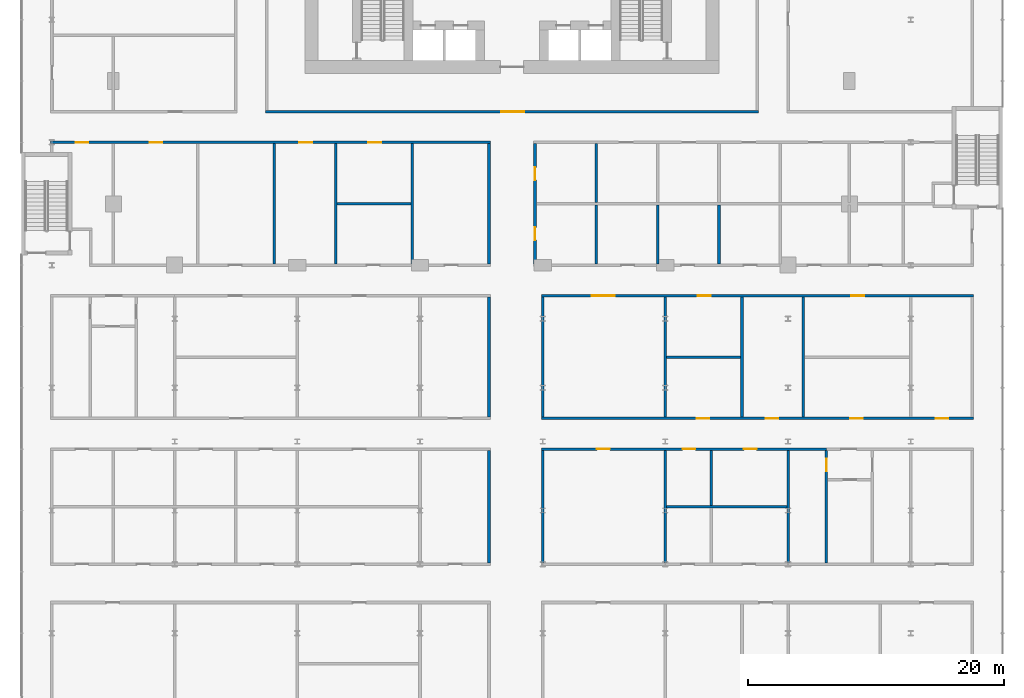
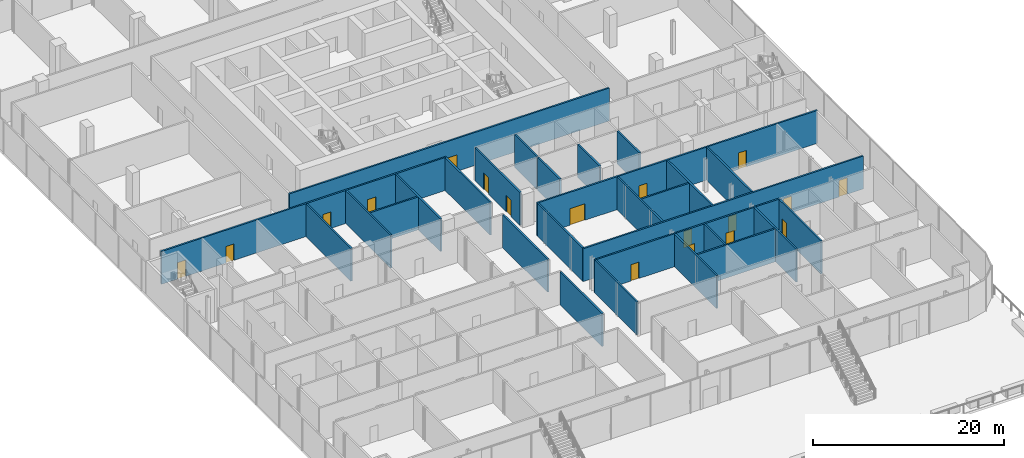
# One storey, part 33 of 45: 28 walls, 18 doors, 18 openings.
"""IFC4 building model written with IfcOpenShell, lengths in metres."""

from ifc_helpers import new_model, si_unit, direction, frame, frame_2d, origin, place, context, subcontext, project, spatial, rectangle, extrude, material, layer, layer_set, type_object, element, fill, save


model = new_model("IFC4")

# Units and contexts
model_context = context("Model", 3, precision=1e-05, world=origin(), true_north=direction((0.0, 1.0)))
body_context = subcontext(model_context, "Body", "Model", "MODEL_VIEW")
ifc_project = project(units=[si_unit("LENGTHUNIT", "METRE"), si_unit("AREAUNIT", "SQUARE_METRE"), si_unit("VOLUMEUNIT", "CUBIC_METRE"), si_unit("PLANEANGLEUNIT", "RADIAN"), si_unit("MASSUNIT", "GRAM", prefix="KILO")], contexts=[model_context])

# Site, building, storey
site_placement = place(None, origin())
site = spatial("IfcSite", under=ifc_project, at=site_placement, CompositionType="ELEMENT")
building_placement = place(site_placement, origin())
building = spatial("IfcBuilding", under=site, at=building_placement, Name="Madar Terraces", CompositionType="ELEMENT")
storey_placement = place(building_placement, frame((0.0, 0.0, 6.0)))
storey = spatial("IfcBuildingStorey", under=building, at=storey_placement, Name="L01", CompositionType="ELEMENT", Elevation=6.0)

# Wall
ifc_material_1 = material(Name="Gypsum board partition, fire-rated")
ifc_layer = layer(ifc_material_1, 0.199951171875)
ifc_layer_set = layer_set([ifc_layer], Name="Partition 200 EI 60")
wall_type = type_object("IfcWallType", Name="Partition 200 EI 60", PredefinedType="PARTITIONING", material=ifc_layer_set)
wall_1_placement = place(storey_placement, frame((43.300048828125, -18.89990234375, 0.0), z_axis=(0.0, 0.0, 1.0), x_axis=(1.0, 0.0, 0.0)))
element("IfcWall", 1, at=wall_1_placement, inside=storey, type_object=wall_type, Name="Wall CLEAN UTILITY + DENTAL SURGERY", PredefinedType="PARTITIONING", context=body_context, shape_type="SweptSolid", body=[
    extrude(rectangle(XDim=9.39990234375, YDim=0.199951171875, at=frame_2d((4.699951171875, 0.0))), origin(), (0.0, 0.0, 1.0), 4.199951171875),
])

# Wall, openings, doors
wall_2_placement = place(storey_placement, frame((55.800048828125, -14.39990234375, 0.0), z_axis=(0.0, 0.0, 1.0), x_axis=(-1.0, 0.0, 0.0)))
wall_2 = element("IfcWall", 2, at=wall_2_placement, inside=storey, type_object=wall_type, Name="Wall CLEAN UTILITY + DENTAL SURGERY", PredefinedType="PARTITIONING", context=body_context, shape_type="SweptSolid", body=[
    extrude(rectangle(XDim=22.300048828125, YDim=0.199951171875, at=frame_2d((11.14990234375, 0.0))), origin(), (0.0, 0.0, 1.0), 4.199951171875),
])
opening_1_placement = place(wall_2_placement, frame((16.949951171875, 0.0, 0.0)))
opening_1 = element("IfcOpeningElement", 3, at=opening_1_placement, cuts=wall_2, Name="Opening D31", PredefinedType="OPENING", context=body_context, shape_type="SweptSolid", body=[
    extrude(rectangle(XDim=1.0, YDim=2.10009765625, at=frame_2d((0.5, 1.050048828125))), frame((0.0, 0.10986328125, 0.0), z_axis=(0.0, -1.0, 0.0), x_axis=(1.0, 0.0, 0.0)), (0.0, 0.0, 1.0), 0.219970703125),
])
opening_2_placement = place(wall_2_placement, frame((10.25, 0.0, 0.0)))
opening_2 = element("IfcOpeningElement", 4, at=opening_2_placement, cuts=wall_2, Name="Opening D31", PredefinedType="OPENING", context=body_context, shape_type="SweptSolid", body=[
    extrude(rectangle(XDim=1.0, YDim=2.10009765625, at=frame_2d((0.5, 1.050048828125))), frame((0.0, 0.10986328125, 0.0), z_axis=(0.0, -1.0, 0.0), x_axis=(1.0, 0.0, 0.0)), (0.0, 0.0, 1.0), 0.219970703125),
])
opening_3_placement = place(wall_2_placement, frame((5.449951171875, 0.0, 0.0)))
opening_3 = element("IfcOpeningElement", 5, at=opening_3_placement, cuts=wall_2, Name="Opening D31", PredefinedType="OPENING", context=body_context, shape_type="SweptSolid", body=[
    extrude(rectangle(XDim=1.0, YDim=2.10009765625, at=frame_2d((0.5, 1.050048828125))), frame((0.0, 0.10986328125, 0.0), z_axis=(0.0, -1.0, 0.0), x_axis=(1.0, 0.0, 0.0)), (0.0, 0.0, 1.0), 0.219970703125),
])
ifc_material_2 = material(Name="Timber door leaf, fire-rated", Category="wood")
door_type_1 = type_object("IfcDoorType", Name="Podium door 1000 x 2100 FD30S", OperationType="NOTDEFINED", PredefinedType="DOOR", material=ifc_material_2)
door_1_placement = place(opening_1_placement, origin())
door_1 = element("IfcDoor", 6, at=door_1_placement, inside=storey, type_object=door_type_1, Name="Door TREATMENT ROOM / PODIUM CORRIDOR", OperationType="SINGLE_SWING_LEFT", OverallHeight=2.10009765625, OverallWidth=1.0, PredefinedType="DOOR", context=body_context, shape_type="SweptSolid", body=[
    extrude(rectangle(XDim=1.0, YDim=2.10009765625, at=frame_2d((0.5, 1.050048828125))), frame((0.0, 0.02490234375, 0.0), z_axis=(0.0, -1.0, 0.0), x_axis=(1.0, 0.0, 0.0)), (0.0, 0.0, 1.0), 0.050048828125),
])
fill(opening_1, door_1)
door_2_placement = place(opening_2_placement, origin())
door_2 = element("IfcDoor", 7, at=door_2_placement, inside=storey, type_object=door_type_1, Name="Door DENTAL SURGERY / PODIUM CORRIDOR", OperationType="SINGLE_SWING_LEFT", OverallHeight=2.10009765625, OverallWidth=1.0, PredefinedType="DOOR", context=body_context, shape_type="SweptSolid", body=[
    extrude(rectangle(XDim=1.0, YDim=2.10009765625, at=frame_2d((0.5, 1.050048828125))), frame((0.0, 0.02490234375, 0.0), z_axis=(0.0, -1.0, 0.0), x_axis=(1.0, 0.0, 0.0)), (0.0, 0.0, 1.0), 0.050048828125),
])
fill(opening_2, door_2)
door_3_placement = place(opening_3_placement, origin())
door_3 = element("IfcDoor", 8, at=door_3_placement, inside=storey, type_object=door_type_1, Name="Door CLEAN UTILITY / PODIUM CORRIDOR", OperationType="SINGLE_SWING_LEFT", OverallHeight=2.10009765625, OverallWidth=1.0, PredefinedType="DOOR", context=body_context, shape_type="SweptSolid", body=[
    extrude(rectangle(XDim=1.0, YDim=2.10009765625, at=frame_2d((0.5, 1.050048828125))), frame((0.0, 0.02490234375, 0.0), z_axis=(0.0, -1.0, 0.0), x_axis=(1.0, 0.0, 0.0)), (0.0, 0.0, 1.0), 0.050048828125),
])
fill(opening_3, door_3)

wall_3_placement = place(storey_placement, frame((33.5, -12.0, 0.0), z_axis=(0.0, 0.0, 1.0), x_axis=(1.0, 0.0, 0.0)))
wall_3 = element("IfcWall", 9, at=wall_3_placement, inside=storey, type_object=wall_type, Name="Wall CONSULTING ROOM + NURSES STATION", PredefinedType="PARTITIONING", context=body_context, shape_type="SweptSolid", body=[
    extrude(rectangle(XDim=33.800048828125, YDim=0.199951171875, at=frame_2d((16.89990234375, 0.0))), origin(), (0.0, 0.0, 1.0), 4.199951171875),
])
opening_4_placement = place(wall_3_placement, frame((12.14990234375, 0.0, 0.0)))
opening_4 = element("IfcOpeningElement", 10, at=opening_4_placement, cuts=wall_3, Name="Opening D31", PredefinedType="OPENING", context=body_context, shape_type="SweptSolid", body=[
    extrude(rectangle(XDim=1.0, YDim=2.10009765625, at=frame_2d((0.5, 1.050048828125))), frame((0.0, 0.10986328125, 0.0), z_axis=(0.0, -1.0, 0.0), x_axis=(1.0, 0.0, 0.0)), (0.0, 0.0, 1.0), 0.219970703125),
])
opening_5_placement = place(wall_3_placement, frame((17.550048828125, 0.0, 0.0)))
opening_5 = element("IfcOpeningElement", 11, at=opening_5_placement, cuts=wall_3, Name="Opening D31", PredefinedType="OPENING", context=body_context, shape_type="SweptSolid", body=[
    extrude(rectangle(XDim=1.0, YDim=2.10009765625, at=frame_2d((0.5, 1.050048828125))), frame((0.0, 0.10986328125, 0.0), z_axis=(0.0, -1.0, 0.0), x_axis=(1.0, 0.0, 0.0)), (0.0, 0.0, 1.0), 0.219970703125),
])
opening_6_placement = place(wall_3_placement, frame((24.14990234375, 0.0, 0.0)))
opening_6 = element("IfcOpeningElement", 12, at=opening_6_placement, cuts=wall_3, Name="Opening D31", PredefinedType="OPENING", context=body_context, shape_type="SweptSolid", body=[
    extrude(rectangle(XDim=1.0, YDim=2.10009765625, at=frame_2d((0.5, 1.050048828125))), frame((0.0, 0.10986328125, 0.0), z_axis=(0.0, -1.0, 0.0), x_axis=(1.0, 0.0, 0.0)), (0.0, 0.0, 1.0), 0.219970703125),
])
opening_7_placement = place(wall_3_placement, frame((30.85009765625, 0.0, 0.0)))
opening_7 = element("IfcOpeningElement", 13, at=opening_7_placement, cuts=wall_3, Name="Opening D31", PredefinedType="OPENING", context=body_context, shape_type="SweptSolid", body=[
    extrude(rectangle(XDim=1.0, YDim=2.10009765625, at=frame_2d((0.5, 1.050048828125))), frame((0.0, 0.10986328125, 0.0), z_axis=(0.0, -1.0, 0.0), x_axis=(1.0, 0.0, 0.0)), (0.0, 0.0, 1.0), 0.219970703125),
])
door_4_placement = place(opening_4_placement, origin())
door_4 = element("IfcDoor", 14, at=door_4_placement, inside=storey, type_object=door_type_1, Name="Door VACCINATION ROOM / PODIUM CORRIDOR", OperationType="SINGLE_SWING_LEFT", OverallHeight=2.10009765625, OverallWidth=1.0, PredefinedType="DOOR", context=body_context, shape_type="SweptSolid", body=[
    extrude(rectangle(XDim=1.0, YDim=2.10009765625, at=frame_2d((0.5, 1.050048828125))), frame((0.0, 0.02490234375, 0.0), z_axis=(0.0, -1.0, 0.0), x_axis=(1.0, 0.0, 0.0)), (0.0, 0.0, 1.0), 0.050048828125),
])
fill(opening_4, door_4)
door_5_placement = place(opening_5_placement, origin())
door_5 = element("IfcDoor", 15, at=door_5_placement, inside=storey, type_object=door_type_1, Name="Door NURSES STATION / PODIUM CORRIDOR", OperationType="SINGLE_SWING_LEFT", OverallHeight=2.10009765625, OverallWidth=1.0, PredefinedType="DOOR", context=body_context, shape_type="SweptSolid", body=[
    extrude(rectangle(XDim=1.0, YDim=2.10009765625, at=frame_2d((0.5, 1.050048828125))), frame((0.0, 0.02490234375, 0.0), z_axis=(0.0, -1.0, 0.0), x_axis=(1.0, 0.0, 0.0)), (0.0, 0.0, 1.0), 0.050048828125),
])
fill(opening_5, door_5)
door_6_placement = place(opening_6_placement, origin())
door_6 = element("IfcDoor", 16, at=door_6_placement, inside=storey, type_object=door_type_1, Name="Door CONSULTING ROOM / PODIUM CORRIDOR", OperationType="SINGLE_SWING_LEFT", OverallHeight=2.10009765625, OverallWidth=1.0, PredefinedType="DOOR", context=body_context, shape_type="SweptSolid", body=[
    extrude(rectangle(XDim=1.0, YDim=2.10009765625, at=frame_2d((0.5, 1.050048828125))), frame((0.0, 0.02490234375, 0.0), z_axis=(0.0, -1.0, 0.0), x_axis=(1.0, 0.0, 0.0)), (0.0, 0.0, 1.0), 0.050048828125),
])
fill(opening_6, door_6)
door_7_placement = place(opening_7_placement, origin())
door_7 = element("IfcDoor", 17, at=door_7_placement, inside=storey, type_object=door_type_1, Name="Door SCAN ROOM / PODIUM CORRIDOR", OperationType="SINGLE_SWING_LEFT", OverallHeight=2.10009765625, OverallWidth=1.0, PredefinedType="DOOR", context=body_context, shape_type="SweptSolid", body=[
    extrude(rectangle(XDim=1.0, YDim=2.10009765625, at=frame_2d((0.5, 1.050048828125))), frame((0.0, 0.02490234375, 0.0), z_axis=(0.0, -1.0, 0.0), x_axis=(1.0, 0.0, 0.0)), (0.0, 0.0, 1.0), 0.050048828125),
])
fill(opening_7, door_7)

# Wall
wall_4_placement = place(storey_placement, frame((43.300048828125, -7.199951171875, 0.0), z_axis=(0.0, 0.0, 1.0), x_axis=(1.0, 0.0, 0.0)))
element("IfcWall", 18, at=wall_4_placement, inside=storey, type_object=wall_type, Name="Wall PHLEBOTOMY ROOM / VACCINATION ROOM", PredefinedType="PARTITIONING", context=body_context, shape_type="SweptSolid", body=[
    extrude(rectangle(XDim=5.800048828125, YDim=0.199951171875, at=frame_2d((2.89990234375, 0.0))), origin(), (0.0, 0.0, 1.0), 4.199951171875),
])

# Wall, openings, doors
wall_5_placement = place(storey_placement, frame((67.300048828125, -2.39990234375, 0.0), z_axis=(0.0, 0.0, 1.0), x_axis=(-1.0, 0.0, 0.0)))
wall_5 = element("IfcWall", 19, at=wall_5_placement, inside=storey, type_object=wall_type, Name="Wall CONSULTING ROOM + NURSES STATION", PredefinedType="PARTITIONING", context=body_context, shape_type="SweptSolid", body=[
    extrude(rectangle(XDim=33.800048828125, YDim=0.199951171875, at=frame_2d((16.89990234375, 0.0))), origin(), (0.0, 0.0, 1.0), 4.199951171875),
])
opening_8_placement = place(wall_5_placement, frame((28.050048828125, 0.0, 0.0)))
opening_8 = element("IfcOpeningElement", 20, at=opening_8_placement, cuts=wall_5, Name="Opening D30", PredefinedType="OPENING", context=body_context, shape_type="SweptSolid", body=[
    extrude(rectangle(XDim=1.800048828125, YDim=2.10009765625, at=frame_2d((0.89990234375, 1.050048828125))), frame((0.0, 0.10986328125, 0.0), z_axis=(0.0, -1.0, 0.0), x_axis=(1.0, 0.0, 0.0)), (0.0, 0.0, 1.0), 0.219970703125),
])
opening_9_placement = place(wall_5_placement, frame((20.550048828125, 0.0, 0.0)))
opening_9 = element("IfcOpeningElement", 21, at=opening_9_placement, cuts=wall_5, Name="Opening D31", PredefinedType="OPENING", context=body_context, shape_type="SweptSolid", body=[
    extrude(rectangle(XDim=1.0, YDim=2.10009765625, at=frame_2d((0.5, 1.050048828125))), frame((0.0, 0.10986328125, 0.0), z_axis=(0.0, -1.0, 0.0), x_axis=(1.0, 0.0, 0.0)), (0.0, 0.0, 1.0), 0.219970703125),
])
opening_10_placement = place(wall_5_placement, frame((8.550048828125, 0.0, 0.0)))
opening_10 = element("IfcOpeningElement", 22, at=opening_10_placement, cuts=wall_5, Name="Opening D31", PredefinedType="OPENING", context=body_context, shape_type="SweptSolid", body=[
    extrude(rectangle(XDim=1.0, YDim=2.10009765625, at=frame_2d((0.5, 1.050048828125))), frame((0.0, 0.10986328125, 0.0), z_axis=(0.0, -1.0, 0.0), x_axis=(1.0, 0.0, 0.0)), (0.0, 0.0, 1.0), 0.219970703125),
])
door_8_placement = place(opening_9_placement, origin())
door_8 = element("IfcDoor", 23, at=door_8_placement, inside=storey, type_object=door_type_1, Name="Door PHLEBOTOMY ROOM / PODIUM CORRIDOR", OperationType="SINGLE_SWING_LEFT", OverallHeight=2.10009765625, OverallWidth=1.0, PredefinedType="DOOR", context=body_context, shape_type="SweptSolid", body=[
    extrude(rectangle(XDim=1.0, YDim=2.10009765625, at=frame_2d((0.5, 1.050048828125))), frame((0.0, 0.02490234375, 0.0), z_axis=(0.0, -1.0, 0.0), x_axis=(1.0, 0.0, 0.0)), (0.0, 0.0, 1.0), 0.050048828125),
])
fill(opening_9, door_8)
door_9_placement = place(opening_10_placement, origin())
door_9 = element("IfcDoor", 24, at=door_9_placement, inside=storey, type_object=door_type_1, Name="Door CONSULTING ROOM / PODIUM CORRIDOR", OperationType="SINGLE_SWING_LEFT", OverallHeight=2.10009765625, OverallWidth=1.0, PredefinedType="DOOR", context=body_context, shape_type="SweptSolid", body=[
    extrude(rectangle(XDim=1.0, YDim=2.10009765625, at=frame_2d((0.5, 1.050048828125))), frame((0.0, 0.02490234375, 0.0), z_axis=(0.0, -1.0, 0.0), x_axis=(1.0, 0.0, 0.0)), (0.0, 0.0, 1.0), 0.050048828125),
])
fill(opening_10, door_9)
ifc_material_3 = material(Name="Timber door leaf, fire-rated", Category="wood")
door_type_2 = type_object("IfcDoorType", Name="Podium double door 1800 x 2100 FD30S", OperationType="DOUBLE_DOOR_SINGLE_SWING", PredefinedType="DOOR", material=ifc_material_3)
door_10_placement = place(opening_8_placement, origin())
door_10 = element("IfcDoor", 25, at=door_10_placement, inside=storey, type_object=door_type_2, Name="Door WAITING AREA / PODIUM CORRIDOR", OperationType="DOUBLE_DOOR_SINGLE_SWING", OverallHeight=2.10009765625, OverallWidth=1.800048828125, PredefinedType="DOOR", context=body_context, shape_type="SweptSolid", body=[
    extrude(rectangle(XDim=1.800048828125, YDim=2.10009765625, at=frame_2d((0.89990234375, 1.050048828125))), frame((0.0, 0.02490234375, 0.0), z_axis=(0.0, -1.0, 0.0), x_axis=(1.0, 0.0, 0.0)), (0.0, 0.0, 1.0), 0.050048828125),
])
fill(opening_8, door_10)

# Wall
wall_6_placement = place(storey_placement, frame((17.5, 4.800048828125, 0.0), z_axis=(0.0, 0.0, 1.0), x_axis=(1.0, 0.0, 0.0)))
element("IfcWall", 26, at=wall_6_placement, inside=storey, type_object=wall_type, Name="Wall CLEAN UTILITY / DIRTY UTILITY", PredefinedType="PARTITIONING", context=body_context, shape_type="SweptSolid", body=[
    extrude(rectangle(XDim=5.800048828125, YDim=0.199951171875, at=frame_2d((2.89990234375, 0.0))), origin(), (0.0, 0.0, 1.0), 4.199951171875),
])

# Wall, openings, doors
wall_7_placement = place(storey_placement, frame((29.5, 9.60009765625, 0.0), z_axis=(0.0, 0.0, 1.0), x_axis=(-1.0, 0.0, 0.0)))
wall_7 = element("IfcWall", 27, at=wall_7_placement, inside=storey, type_object=wall_type, Name="Wall CHILDRENS WAITING AREA + CLEAN UTILITY", PredefinedType="PARTITIONING", context=body_context, shape_type="SweptSolid", body=[
    extrude(rectangle(XDim=34.39990234375, YDim=0.199951171875, at=frame_2d((17.199951171875, 0.0))), origin(), (0.0, 0.0, 1.0), 4.199951171875),
])
opening_11_placement = place(wall_7_placement, frame((31.449951171875, 0.0, 0.0)))
opening_11 = element("IfcOpeningElement", 28, at=opening_11_placement, cuts=wall_7, Name="Opening D31", PredefinedType="OPENING", context=body_context, shape_type="SweptSolid", body=[
    extrude(rectangle(XDim=1.0, YDim=2.10009765625, at=frame_2d((0.5, 1.050048828125))), frame((0.0, 0.10986328125, 0.0), z_axis=(0.0, -1.0, 0.0), x_axis=(1.0, 0.0, 0.0)), (0.0, 0.0, 1.0), 0.219970703125),
])
opening_12_placement = place(wall_7_placement, frame((25.64990234375, 0.0, 0.0)))
opening_12 = element("IfcOpeningElement", 29, at=opening_12_placement, cuts=wall_7, Name="Opening D31", PredefinedType="OPENING", context=body_context, shape_type="SweptSolid", body=[
    extrude(rectangle(XDim=1.0, YDim=2.10009765625, at=frame_2d((0.5, 1.050048828125))), frame((0.0, 0.10986328125, 0.0), z_axis=(0.0, -1.0, 0.0), x_axis=(1.0, 0.0, 0.0)), (0.0, 0.0, 1.0), 0.219970703125),
])
opening_13_placement = place(wall_7_placement, frame((13.949951171875, 0.0, 0.0)))
opening_13 = element("IfcOpeningElement", 30, at=opening_13_placement, cuts=wall_7, Name="Opening D31", PredefinedType="OPENING", context=body_context, shape_type="SweptSolid", body=[
    extrude(rectangle(XDim=1.0, YDim=2.10009765625, at=frame_2d((0.5, 1.050048828125))), frame((0.0, 0.10986328125, 0.0), z_axis=(0.0, -1.0, 0.0), x_axis=(1.0, 0.0, 0.0)), (0.0, 0.0, 1.0), 0.219970703125),
])
opening_14_placement = place(wall_7_placement, frame((8.550048828125, 0.0, 0.0)))
opening_14 = element("IfcOpeningElement", 31, at=opening_14_placement, cuts=wall_7, Name="Opening D31", PredefinedType="OPENING", context=body_context, shape_type="SweptSolid", body=[
    extrude(rectangle(XDim=1.0, YDim=2.10009765625, at=frame_2d((0.5, 1.050048828125))), frame((0.0, 0.10986328125, 0.0), z_axis=(0.0, -1.0, 0.0), x_axis=(1.0, 0.0, 0.0)), (0.0, 0.0, 1.0), 0.219970703125),
])
door_11_placement = place(opening_11_placement, origin())
door_11 = element("IfcDoor", 32, at=door_11_placement, inside=storey, type_object=door_type_1, Name="Door WAITING AREA / PODIUM CORRIDOR", OperationType="SINGLE_SWING_RIGHT", OverallHeight=2.10009765625, OverallWidth=1.0, PredefinedType="DOOR", context=body_context, shape_type="SweptSolid", body=[
    extrude(rectangle(XDim=1.0, YDim=2.10009765625, at=frame_2d((0.5, 1.050048828125))), frame((0.0, 0.02490234375, 0.0), z_axis=(0.0, -1.0, 0.0), x_axis=(1.0, 0.0, 0.0)), (0.0, 0.0, 1.0), 0.050048828125),
])
fill(opening_11, door_11)
door_12_placement = place(opening_12_placement, origin())
door_12 = element("IfcDoor", 33, at=door_12_placement, inside=storey, type_object=door_type_1, Name="Door CHILDRENS WAITING AREA / PODIUM CORRIDOR", OperationType="SINGLE_SWING_LEFT", OverallHeight=2.10009765625, OverallWidth=1.0, PredefinedType="DOOR", context=body_context, shape_type="SweptSolid", body=[
    extrude(rectangle(XDim=1.0, YDim=2.10009765625, at=frame_2d((0.5, 1.050048828125))), frame((0.0, 0.02490234375, 0.0), z_axis=(0.0, -1.0, 0.0), x_axis=(1.0, 0.0, 0.0)), (0.0, 0.0, 1.0), 0.050048828125),
])
fill(opening_12, door_12)
door_13_placement = place(opening_13_placement, origin())
door_13 = element("IfcDoor", 34, at=door_13_placement, inside=storey, type_object=door_type_1, Name="Door NURSES STATION / PODIUM CORRIDOR", OperationType="SINGLE_SWING_LEFT", OverallHeight=2.10009765625, OverallWidth=1.0, PredefinedType="DOOR", context=body_context, shape_type="SweptSolid", body=[
    extrude(rectangle(XDim=1.0, YDim=2.10009765625, at=frame_2d((0.5, 1.050048828125))), frame((0.0, 0.02490234375, 0.0), z_axis=(0.0, -1.0, 0.0), x_axis=(1.0, 0.0, 0.0)), (0.0, 0.0, 1.0), 0.050048828125),
])
fill(opening_13, door_13)
door_14_placement = place(opening_14_placement, origin())
door_14 = element("IfcDoor", 35, at=door_14_placement, inside=storey, type_object=door_type_1, Name="Door CLEAN UTILITY / PODIUM CORRIDOR", OperationType="SINGLE_SWING_LEFT", OverallHeight=2.10009765625, OverallWidth=1.0, PredefinedType="DOOR", context=body_context, shape_type="SweptSolid", body=[
    extrude(rectangle(XDim=1.0, YDim=2.10009765625, at=frame_2d((0.5, 1.050048828125))), frame((0.0, 0.02490234375, 0.0), z_axis=(0.0, -1.0, 0.0), x_axis=(1.0, 0.0, 0.0)), (0.0, 0.0, 1.0), 0.050048828125),
])
fill(opening_14, door_14)

# Wall, opening, door
wall_8_placement = place(storey_placement, frame((11.89990234375, 12.0, 0.0), z_axis=(0.0, 0.0, 1.0), x_axis=(1.0, 0.0, 0.0)))
wall_8 = element("IfcWall", 36, at=wall_8_placement, inside=storey, type_object=wall_type, Name="Wall PODIUM CORRIDOR / RING CORRIDOR", PredefinedType="PARTITIONING", context=body_context, shape_type="SweptSolid", body=[
    extrude(rectangle(XDim=38.60009765625, YDim=0.199951171875, at=frame_2d((19.300048828125, 0.0))), origin(), (0.0, 0.0, 1.0), 4.199951171875),
])
opening_15_placement = place(wall_8_placement, frame((18.449951171875, 0.0, 0.0)))
opening_15 = element("IfcOpeningElement", 37, at=opening_15_placement, cuts=wall_8, Name="Opening D30", PredefinedType="OPENING", context=body_context, shape_type="SweptSolid", body=[
    extrude(rectangle(XDim=1.800048828125, YDim=2.10009765625, at=frame_2d((0.89990234375, 1.050048828125))), frame((0.0, 0.10986328125, 0.0), z_axis=(0.0, -1.0, 0.0), x_axis=(1.0, 0.0, 0.0)), (0.0, 0.0, 1.0), 0.219970703125),
])
door_15_placement = place(opening_15_placement, origin())
door_15 = element("IfcDoor", 38, at=door_15_placement, inside=storey, type_object=door_type_2, Name="Door PODIUM CORRIDOR / RING CORRIDOR", OperationType="DOUBLE_DOOR_SINGLE_SWING", OverallHeight=2.10009765625, OverallWidth=1.800048828125, PredefinedType="DOOR", context=body_context, shape_type="SweptSolid", body=[
    extrude(rectangle(XDim=1.800048828125, YDim=2.10009765625, at=frame_2d((0.89990234375, 1.050048828125))), frame((0.0, 0.02490234375, 0.0), z_axis=(0.0, -1.0, 0.0), x_axis=(1.0, 0.0, 0.0)), (0.0, 0.0, 1.0), 0.050048828125),
])
fill(opening_15, door_15)

# Walls
for number, where, z_axis, x_axis, name in (
    (39, (12.60009765625, 0.10009765625, 0.0), (0.0, 0.0, 1.0), (0.0, 1.0, 0.0), "Wall RECEPTION / NURSES STATION"),
    (40, (17.39990234375, 0.10009765625, 0.0), (0.0, 0.0, 1.0), (0.0, 1.0, 0.0), "Wall NURSES STATION"),
    (41, (23.39990234375, 0.10009765625, 0.0), (0.0, 0.0, 1.0), (0.0, 1.0, 0.0), "Wall CLEAN UTILITY + DIRTY UTILITY"),
):
    element("IfcWall", number, at=place(storey_placement, frame(where, z_axis=z_axis, x_axis=x_axis)), inside=storey, type_object=wall_type, Name=name, PredefinedType="PARTITIONING", context=body_context, shape_type="SweptSolid", body=[
        extrude(rectangle(XDim=9.39990234375, YDim=0.199951171875, at=frame_2d((4.699951171875, 0.0))), origin(), (0.0, 0.0, 1.0), 4.199951171875),
    ])
wall_9_placement = place(storey_placement, frame((29.39990234375, -23.300048828125, 0.0), z_axis=(0.0, 0.0, 1.0), x_axis=(0.0, 1.0, 0.0)))
element("IfcWall", 42, at=wall_9_placement, inside=storey, type_object=wall_type, Name="Wall DENTAL SURGERY / PODIUM CORRIDOR", PredefinedType="PARTITIONING", context=body_context, shape_type="SweptSolid", body=[
    extrude(rectangle(XDim=8.800048828125, YDim=0.199951171875, at=frame_2d((4.39990234375, 0.0))), origin(), (0.0, 0.0, 1.0), 4.199951171875),
])
for number, where, z_axis, x_axis, name in (
    (43, (29.39990234375, -11.89990234375, 0.0), (0.0, 0.0, 1.0), (0.0, 1.0, 0.0), "Wall TREATMENT ROOM / PODIUM CORRIDOR"),
    (44, (29.39990234375, 0.10009765625, 0.0), (0.0, 0.0, 1.0), (0.0, 1.0, 0.0), "Wall STAFF ROOM / PODIUM CORRIDOR"),
):
    element("IfcWall", number, at=place(storey_placement, frame(where, z_axis=z_axis, x_axis=x_axis)), inside=storey, type_object=wall_type, Name=name, PredefinedType="PARTITIONING", context=body_context, shape_type="SweptSolid", body=[
        extrude(rectangle(XDim=9.39990234375, YDim=0.199951171875, at=frame_2d((4.699951171875, 0.0))), origin(), (0.0, 0.0, 1.0), 4.199951171875),
    ])

# Wall, openings, doors
wall_10_placement = place(storey_placement, frame((33.0, 9.5, 0.0), z_axis=(0.0, 0.0, 1.0), x_axis=(0.0, -1.0, 0.0)))
wall_10 = element("IfcWall", 45, at=wall_10_placement, inside=storey, type_object=wall_type, Name="Wall CONSULTING ROOM", PredefinedType="PARTITIONING", context=body_context, shape_type="SweptSolid", body=[
    extrude(rectangle(XDim=9.39990234375, YDim=0.199951171875, at=frame_2d((4.699951171875, 0.0))), origin(), (0.0, 0.0, 1.0), 4.199951171875),
])
opening_16_placement = place(wall_10_placement, frame((1.85009765625, 0.0, 0.0)))
opening_16 = element("IfcOpeningElement", 46, at=opening_16_placement, cuts=wall_10, Name="Opening D31", PredefinedType="OPENING", context=body_context, shape_type="SweptSolid", body=[
    extrude(rectangle(XDim=1.0, YDim=2.10009765625, at=frame_2d((0.5, 1.050048828125))), frame((0.0, 0.10986328125, 0.0), z_axis=(0.0, -1.0, 0.0), x_axis=(1.0, 0.0, 0.0)), (0.0, 0.0, 1.0), 0.219970703125),
])
opening_17_placement = place(wall_10_placement, frame((6.550048828125, 0.0, 0.0)))
opening_17 = element("IfcOpeningElement", 47, at=opening_17_placement, cuts=wall_10, Name="Opening D31", PredefinedType="OPENING", context=body_context, shape_type="SweptSolid", body=[
    extrude(rectangle(XDim=1.0, YDim=2.10009765625, at=frame_2d((0.5, 1.050048828125))), frame((0.0, 0.10986328125, 0.0), z_axis=(0.0, -1.0, 0.0), x_axis=(1.0, 0.0, 0.0)), (0.0, 0.0, 1.0), 0.219970703125),
])
door_16_placement = place(opening_16_placement, origin())
door_16 = element("IfcDoor", 48, at=door_16_placement, inside=storey, type_object=door_type_1, Name="Door CONSULTING ROOM / PODIUM CORRIDOR", OperationType="SINGLE_SWING_LEFT", OverallHeight=2.10009765625, OverallWidth=1.0, PredefinedType="DOOR", context=body_context, shape_type="SweptSolid", body=[
    extrude(rectangle(XDim=1.0, YDim=2.10009765625, at=frame_2d((0.5, 1.050048828125))), frame((0.0, 0.02490234375, 0.0), z_axis=(0.0, -1.0, 0.0), x_axis=(1.0, 0.0, 0.0)), (0.0, 0.0, 1.0), 0.050048828125),
])
fill(opening_16, door_16)
door_17_placement = place(opening_17_placement, origin())
door_17 = element("IfcDoor", 49, at=door_17_placement, inside=storey, type_object=door_type_1, Name="Door CONSULTING ROOM / PODIUM CORRIDOR", OperationType="SINGLE_SWING_LEFT", OverallHeight=2.10009765625, OverallWidth=1.0, PredefinedType="DOOR", context=body_context, shape_type="SweptSolid", body=[
    extrude(rectangle(XDim=1.0, YDim=2.10009765625, at=frame_2d((0.5, 1.050048828125))), frame((0.0, 0.02490234375, 0.0), z_axis=(0.0, -1.0, 0.0), x_axis=(1.0, 0.0, 0.0)), (0.0, 0.0, 1.0), 0.050048828125),
])
fill(opening_17, door_17)

# Walls
wall_11_placement = place(storey_placement, frame((33.60009765625, -23.300048828125, 0.0), z_axis=(0.0, 0.0, 1.0), x_axis=(0.0, 1.0, 0.0)))
element("IfcWall", 50, at=wall_11_placement, inside=storey, type_object=wall_type, Name="Wall TREATMENT ROOM / PODIUM CORRIDOR", PredefinedType="PARTITIONING", context=body_context, shape_type="SweptSolid", body=[
    extrude(rectangle(XDim=8.800048828125, YDim=0.199951171875, at=frame_2d((4.39990234375, 0.0))), origin(), (0.0, 0.0, 1.0), 4.199951171875),
])
wall_12_placement = place(storey_placement, frame((33.60009765625, -11.89990234375, 0.0), z_axis=(0.0, 0.0, 1.0), x_axis=(0.0, 1.0, 0.0)))
element("IfcWall", 51, at=wall_12_placement, inside=storey, type_object=wall_type, Name="Wall WAITING AREA / PODIUM CORRIDOR", PredefinedType="PARTITIONING", context=body_context, shape_type="SweptSolid", body=[
    extrude(rectangle(XDim=9.39990234375, YDim=0.199951171875, at=frame_2d((4.699951171875, 0.0))), origin(), (0.0, 0.0, 1.0), 4.199951171875),
])
wall_13_placement = place(storey_placement, frame((37.800048828125, 0.10009765625, 0.0), z_axis=(0.0, 0.0, 1.0), x_axis=(0.0, 1.0, 0.0)))
element("IfcWall", 52, at=wall_13_placement, inside=storey, type_object=wall_type, Name="Wall CONSULTING ROOM / CONSULTING ROOM", PredefinedType="PARTITIONING", context=body_context, shape_type="SweptSolid", body=[
    extrude(rectangle(XDim=4.599853515625, YDim=0.199951171875, at=frame_2d((2.2998046875, 0.0))), origin(), (0.0, 0.0, 1.0), 4.199951171875),
])
wall_14_placement = place(storey_placement, frame((37.800048828125, 4.89990234375, 0.0), z_axis=(0.0, 0.0, 1.0), x_axis=(0.0, 1.0, 0.0)))
element("IfcWall", 53, at=wall_14_placement, inside=storey, type_object=wall_type, Name="Wall CONSULTING ROOM / CONSULTING ROOM", PredefinedType="PARTITIONING", context=body_context, shape_type="SweptSolid", body=[
    extrude(rectangle(XDim=4.60009765625, YDim=0.199951171875, at=frame_2d((2.300048828125, 0.0))), origin(), (0.0, 0.0, 1.0), 4.199951171875),
])
wall_15_placement = place(storey_placement, frame((42.60009765625, 0.10009765625, 0.0), z_axis=(0.0, 0.0, 1.0), x_axis=(0.0, 1.0, 0.0)))
element("IfcWall", 54, at=wall_15_placement, inside=storey, type_object=wall_type, Name="Wall CONSULTING ROOM / CONSULTING ROOM", PredefinedType="PARTITIONING", context=body_context, shape_type="SweptSolid", body=[
    extrude(rectangle(XDim=4.599853515625, YDim=0.199951171875, at=frame_2d((2.2998046875, 0.0))), origin(), (0.0, 0.0, 1.0), 4.199951171875),
])
wall_16_placement = place(storey_placement, frame((43.199951171875, -23.300048828125, 0.0), z_axis=(0.0, 0.0, 1.0), x_axis=(0.0, 1.0, 0.0)))
element("IfcWall", 55, at=wall_16_placement, inside=storey, type_object=wall_type, Name="Wall TREATMENT ROOM", PredefinedType="PARTITIONING", context=body_context, shape_type="SweptSolid", body=[
    extrude(rectangle(XDim=8.800048828125, YDim=0.199951171875, at=frame_2d((4.39990234375, 0.0))), origin(), (0.0, 0.0, 1.0), 4.199951171875),
])
wall_17_placement = place(storey_placement, frame((43.199951171875, -11.89990234375, 0.0), z_axis=(0.0, 0.0, 1.0), x_axis=(0.0, 1.0, 0.0)))
element("IfcWall", 56, at=wall_17_placement, inside=storey, type_object=wall_type, Name="Wall WAITING AREA", PredefinedType="PARTITIONING", context=body_context, shape_type="SweptSolid", body=[
    extrude(rectangle(XDim=9.39990234375, YDim=0.199951171875, at=frame_2d((4.699951171875, 0.0))), origin(), (0.0, 0.0, 1.0), 4.199951171875),
])
wall_18_placement = place(storey_placement, frame((46.800048828125, -18.800048828125, 0.0), z_axis=(0.0, 0.0, 1.0), x_axis=(0.0, 1.0, 0.0)))
element("IfcWall", 57, at=wall_18_placement, inside=storey, type_object=wall_type, Name="Wall DENTAL SURGERY / CLEAN UTILITY", PredefinedType="PARTITIONING", context=body_context, shape_type="SweptSolid", body=[
    extrude(rectangle(XDim=4.300048828125, YDim=0.199951171875, at=frame_2d((2.14990234375, 0.0))), origin(), (0.0, 0.0, 1.0), 4.199951171875),
])
wall_19_placement = place(storey_placement, frame((47.39990234375, 0.10009765625, 0.0), z_axis=(0.0, 0.0, 1.0), x_axis=(0.0, 1.0, 0.0)))
element("IfcWall", 58, at=wall_19_placement, inside=storey, type_object=wall_type, Name="Wall CONSULTING ROOM / CONSULTING ROOM", PredefinedType="PARTITIONING", context=body_context, shape_type="SweptSolid", body=[
    extrude(rectangle(XDim=4.599853515625, YDim=0.199951171875, at=frame_2d((2.2998046875, 0.0))), origin(), (0.0, 0.0, 1.0), 4.199951171875),
])
wall_20_placement = place(storey_placement, frame((49.199951171875, -11.89990234375, 0.0), z_axis=(0.0, 0.0, 1.0), x_axis=(0.0, 1.0, 0.0)))
element("IfcWall", 59, at=wall_20_placement, inside=storey, type_object=wall_type, Name="Wall PHLEBOTOMY ROOM + VACCINATION ROOM", PredefinedType="PARTITIONING", context=body_context, shape_type="SweptSolid", body=[
    extrude(rectangle(XDim=9.39990234375, YDim=0.199951171875, at=frame_2d((4.699951171875, 0.0))), origin(), (0.0, 0.0, 1.0), 4.199951171875),
])
wall_21_placement = place(storey_placement, frame((52.800048828125, -23.300048828125, 0.0), z_axis=(0.0, 0.0, 1.0), x_axis=(0.0, 1.0, 0.0)))
element("IfcWall", 60, at=wall_21_placement, inside=storey, type_object=wall_type, Name="Wall CLEAN UTILITY + DIRTY UTILITY", PredefinedType="PARTITIONING", context=body_context, shape_type="SweptSolid", body=[
    extrude(rectangle(XDim=8.800048828125, YDim=0.199951171875, at=frame_2d((4.39990234375, 0.0))), origin(), (0.0, 0.0, 1.0), 4.199951171875),
])
wall_22_placement = place(storey_placement, frame((54.0, -11.89990234375, 0.0), z_axis=(0.0, 0.0, 1.0), x_axis=(0.0, 1.0, 0.0)))
element("IfcWall", 61, at=wall_22_placement, inside=storey, type_object=wall_type, Name="Wall NURSES STATION", PredefinedType="PARTITIONING", context=body_context, shape_type="SweptSolid", body=[
    extrude(rectangle(XDim=9.39990234375, YDim=0.199951171875, at=frame_2d((4.699951171875, 0.0))), origin(), (0.0, 0.0, 1.0), 4.199951171875),
])

# Wall, opening, door
wall_23_placement = place(storey_placement, frame((55.800048828125, -23.300048828125, 0.0), z_axis=(0.0, 0.0, 1.0), x_axis=(0.0, 1.0, 0.0)))
wall_23 = element("IfcWall", 62, at=wall_23_placement, inside=storey, type_object=wall_type, Name="Wall WC LOBBY + WC MEN", PredefinedType="PARTITIONING", context=body_context, shape_type="SweptSolid", body=[
    extrude(rectangle(XDim=8.800048828125, YDim=0.199951171875, at=frame_2d((4.39990234375, 0.0))), origin(), (0.0, 0.0, 1.0), 4.199951171875),
])
opening_18_placement = place(wall_23_placement, frame((7.14990234375, 0.0, 0.0)))
opening_18 = element("IfcOpeningElement", 63, at=opening_18_placement, cuts=wall_23, Name="Opening D31", PredefinedType="OPENING", context=body_context, shape_type="SweptSolid", body=[
    extrude(rectangle(XDim=1.0, YDim=2.10009765625, at=frame_2d((0.5, 1.050048828125))), frame((0.0, 0.10986328125, 0.0), z_axis=(0.0, -1.0, 0.0), x_axis=(1.0, 0.0, 0.0)), (0.0, 0.0, 1.0), 0.219970703125),
])
door_18_placement = place(opening_18_placement, origin())
door_18 = element("IfcDoor", 64, at=door_18_placement, inside=storey, type_object=door_type_1, Name="Door WC LOBBY / WC MEN", OperationType="SINGLE_SWING_RIGHT", OverallHeight=2.10009765625, OverallWidth=1.0, PredefinedType="DOOR", context=body_context, shape_type="SweptSolid", body=[
    extrude(rectangle(XDim=1.0, YDim=2.10009765625, at=frame_2d((0.5, 1.050048828125))), frame((0.0, 0.02490234375, 0.0), z_axis=(0.0, -1.0, 0.0), x_axis=(1.0, 0.0, 0.0)), (0.0, 0.0, 1.0), 0.050048828125),
])
fill(opening_18, door_18)

save(model, "model.ifc")
